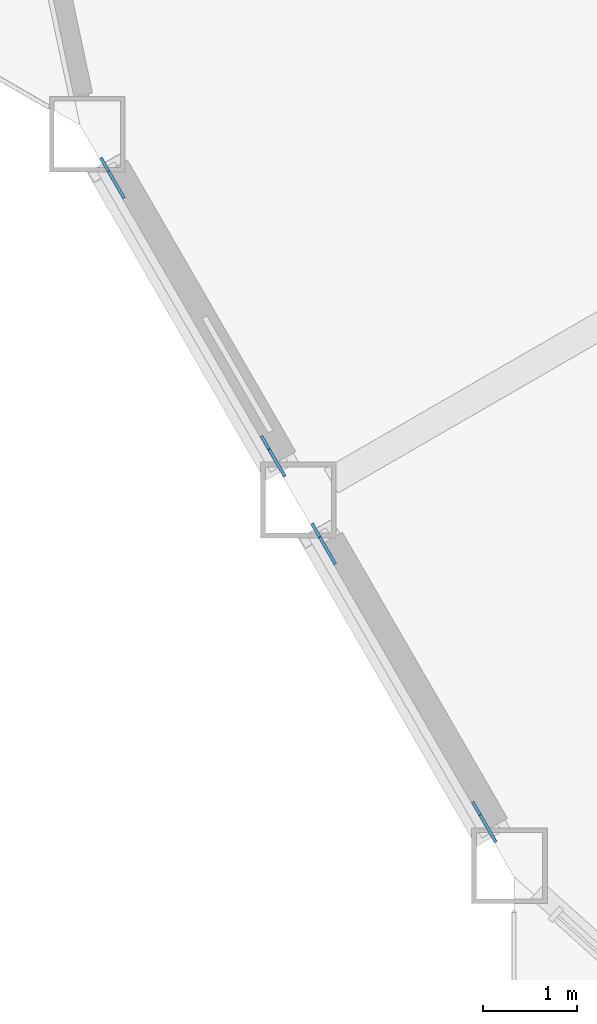
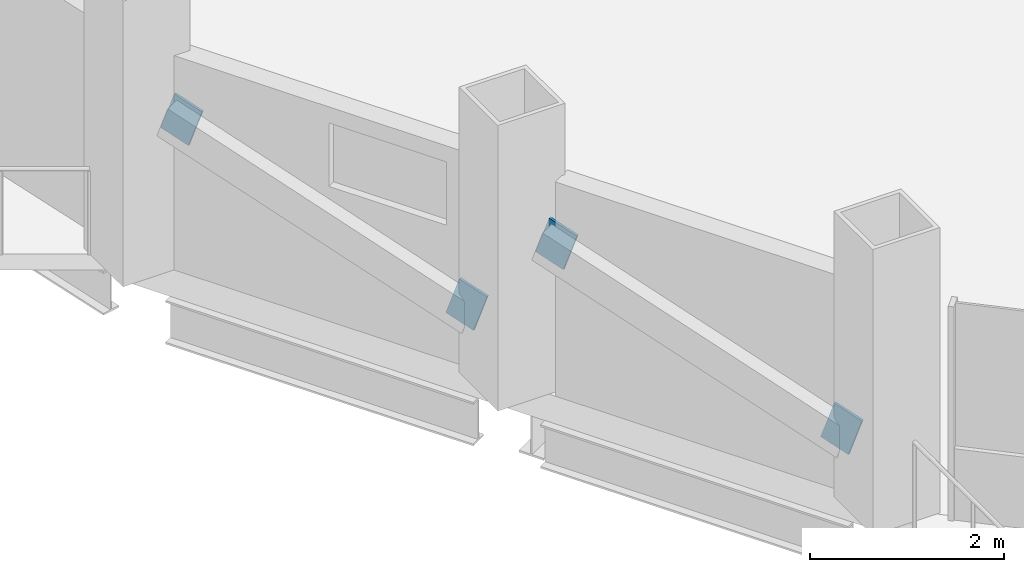
# One storey, part 16 of 23: 4 discrete accessories.
"""IFC4 building model written with IfcOpenShell, lengths in metres."""

from ifc_helpers import new_model, si_unit, direction, frame, origin, origin_2d, place, context, subcontext, project, spatial, rectangle, extrude, material, material_profile, profile_set, type_object, element, save


model = new_model("IFC4")

# Units and contexts
model_context = context("Model", 3, precision=1e-05, world=origin(), true_north=direction((0.0, 1.0)))
body_context = subcontext(model_context, "Body", "Model", "MODEL_VIEW")
ifc_project = project(units=[si_unit("LENGTHUNIT", "METRE"), si_unit("AREAUNIT", "SQUARE_METRE"), si_unit("VOLUMEUNIT", "CUBIC_METRE"), si_unit("PLANEANGLEUNIT", "RADIAN"), si_unit("MASSUNIT", "GRAM", prefix="KILO")], contexts=[model_context])

# Site, building, storey
site_placement = place(None, origin())
site = spatial("IfcSite", under=ifc_project, at=site_placement, CompositionType="ELEMENT")
building_placement = place(site_placement, origin())
building = spatial("IfcBuilding", under=site, at=building_placement, Name="Cormorant Prow Tower", CompositionType="ELEMENT")
storey_placement = place(building_placement, frame((0.0, 0.0, 208.800048828125)))
storey = spatial("IfcBuildingStorey", under=building, at=storey_placement, Name="L46", CompositionType="ELEMENT", Elevation=208.800048828125)

# Discrete accessories
ifc_material = material(Name="Structural steel ASTM A500 Gr C", Category="steel")
ifc_material_profile = material_profile(ifc_material, rectangle(XDim=0.031982421875, YDim=0.506103515625, at=origin_2d()), Name="Gusset plate 32x506")
ifc_profile_set = profile_set([ifc_material_profile], Name="Structural steel ASTM A500 Gr C")
discrete_accessory_type = type_object("IfcDiscreteAccessoryType", Name="Gusset plate 32x506", PredefinedType="BRACKET", material=ifc_profile_set)
for number, where, z_axis, x_axis, name in (
    (1, (-28.40966796875, -15.59228515625, 0.83544921875), (0.4742777402, -0.820918970906, -0.31804507284), (0.86587923604, 0.500253084543, 0.0), "Gusset plate GP2 L46.WSW00.g0"),
    (2, (-29.943359375, -12.935791015625, 1.865234375), (-0.473631655621, 0.821008039272, 0.31877712315), (-0.866197837791, -0.499701216534, 0.0), "Gusset plate GP2 L46.WSW00.g1"),
):
    element("IfcDiscreteAccessory", number, at=place(storey_placement, frame(where, z_axis=z_axis, x_axis=x_axis)), inside=storey, type_object=discrete_accessory_type, Name=name, PredefinedType="BRACKET", context=body_context, shape_type="SweptSolid", body=[
        extrude(rectangle(XDim=0.031982421875, YDim=0.506103515625, at=origin_2d()), origin(), (0.0, 0.0, 1.0), 0.35009765625),
    ])
discrete_accessory_1_placement = place(storey_placement, frame((-26.17431640625, -19.463623046875, 0.83544921875), z_axis=(0.47373689254, -0.821190460264, -0.318150254784), x_axis=(0.866197837791, 0.499701216534, 0.0)))
element("IfcDiscreteAccessory", 3, at=discrete_accessory_1_placement, inside=storey, type_object=discrete_accessory_type, Name="Gusset plate GP2 L46.WSW01.g0", PredefinedType="BRACKET", context=body_context, shape_type="SweptSolid", body=[
    extrude(rectangle(XDim=0.031982421875, YDim=0.506103515625, at=origin_2d()), origin(), (0.0, 0.0, 1.0), 0.349853515625),
])
discrete_accessory_2_placement = place(storey_placement, frame((-27.7080078125, -16.807373046875, 1.865234375), z_axis=(-0.474172452765, 0.820736730742, 0.318671780755), x_axis=(-0.86587923604, -0.500253084543, 0.0)))
element("IfcDiscreteAccessory", 4, at=discrete_accessory_2_placement, inside=storey, type_object=discrete_accessory_type, Name="Gusset plate GP2 L46.WSW01.g1", PredefinedType="BRACKET", context=body_context, shape_type="SweptSolid", body=[
    extrude(rectangle(XDim=0.031982421875, YDim=0.506103515625, at=origin_2d()), origin(), (0.0, 0.0, 1.0), 0.35009765625),
])

save(model, "model.ifc")
